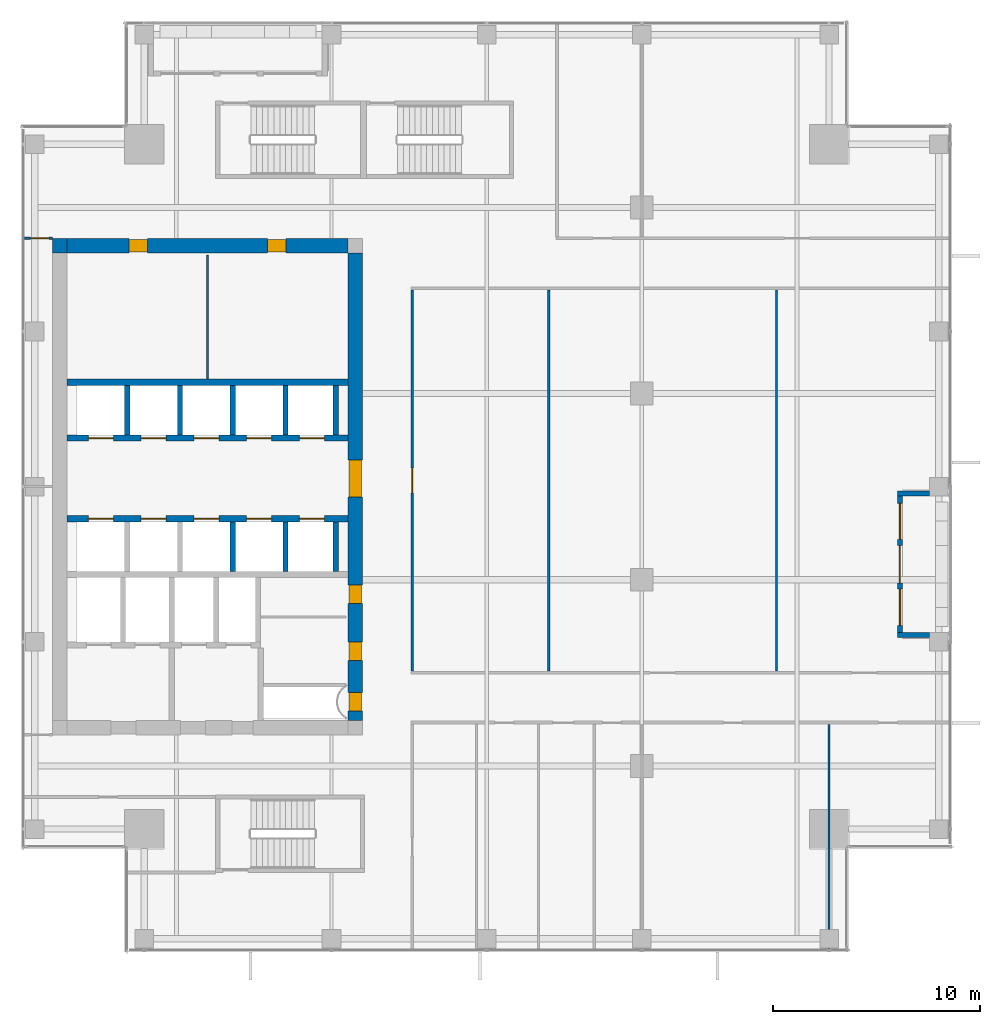
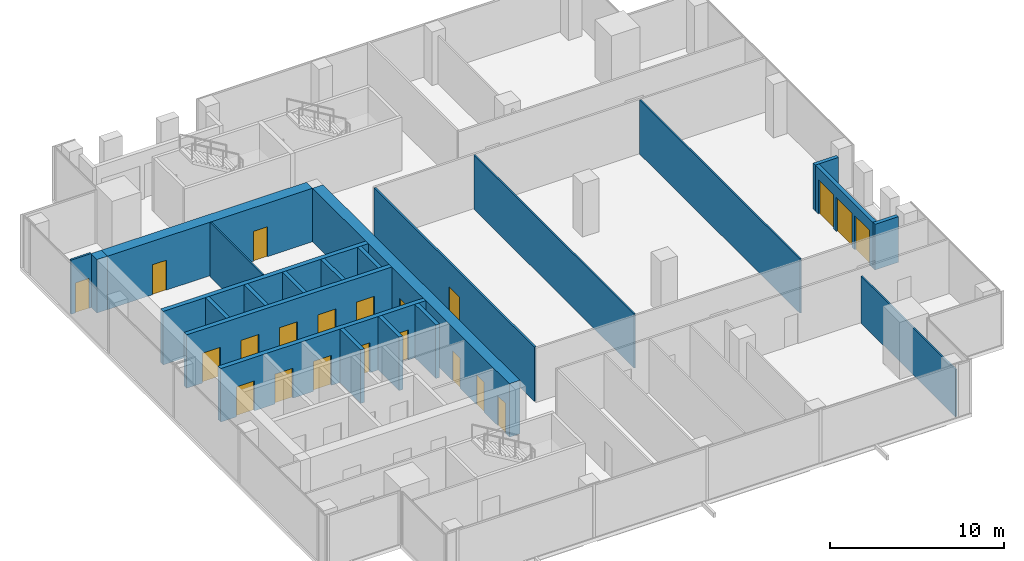
# One storey, part 32 of 36: 23 walls, 19 doors, 2 windows, 21 openings.
"""IFC4 building model written with IfcOpenShell, lengths in metres."""

from ifc_helpers import new_model, si_unit, direction, frame, frame_2d, origin, place, context, subcontext, project, spatial, rectangle, extrude, source, transform, mapped, material, layer, layer_set, type_object, element, fill, save


model = new_model("IFC4")

# Units and contexts
model_context = context("Model", 3, precision=1e-05, world=origin(), true_north=direction((0.0, 1.0)))
body_context = subcontext(model_context, "Body", "Model", "MODEL_VIEW")
ifc_project = project(units=[si_unit("LENGTHUNIT", "METRE"), si_unit("AREAUNIT", "SQUARE_METRE"), si_unit("VOLUMEUNIT", "CUBIC_METRE"), si_unit("PLANEANGLEUNIT", "RADIAN"), si_unit("MASSUNIT", "GRAM", prefix="KILO")], contexts=[model_context])

# Site, building, storey
site_placement = place(None, origin())
site = spatial("IfcSite", under=ifc_project, at=site_placement, CompositionType="ELEMENT")
building_placement = place(site_placement, origin())
building = spatial("IfcBuilding", under=site, at=building_placement, Name="Khomas Fold Tower", CompositionType="ELEMENT")
storey_placement = place(building_placement, frame((0.0, 0.0, 230.199951171875)))
storey = spatial("IfcBuildingStorey", under=building, at=storey_placement, Name="L51", CompositionType="ELEMENT", Elevation=230.199951171875)

# Walls
ifc_material_1 = material(Name="Concrete C50/60", Category="concrete")
ifc_layer_1 = layer(ifc_material_1, 0.25)
ifc_layer_set_1 = layer_set([ifc_layer_1], Name="Concrete C50/60")
wall_type_1 = type_object("IfcWallType", Name="Shaft wall 250", PredefinedType="STANDARD", material=ifc_layer_set_1)
shared_shape_1 = source(origin(), body_context, "Body", "SweptSolid", [
    extrude(rectangle(XDim=2.39990234375, YDim=0.25, at=frame_2d((1.199951171875, 0.0))), origin(), (0.0, 0.0, 1.0), 3.75),
])
for number, where, z_axis, x_axis, name in (
    (1, (17.27490234375, 29.5, 0.0), (0.0, 0.0, 1.0), (0.0, 1.0, 0.0), "Core wall SW-HRN-MR-P1"),
    (2, (19.699951171875, 29.5, 0.0), (0.0, 0.0, 1.0), (0.0, 1.0, 0.0), "Core wall SW-HRN-MR-PE"),
    (3, (9.625, 29.5, 0.0), (0.0, 0.0, 1.0), (0.0, 1.0, 0.0), "Core wall SW-HRN-P1"),
    (4, (12.175048828125, 29.5, 0.0), (0.0, 0.0, 1.0), (0.0, 1.0, 0.0), "Core wall SW-HRN-P2"),
    (5, (14.72509765625, 29.5, 0.0), (0.0, 0.0, 1.0), (0.0, 1.0, 0.0), "Core wall SW-HRN-PE"),
):
    element("IfcWall", number, at=place(storey_placement, frame(where, z_axis=z_axis, x_axis=x_axis)), inside=storey, type_object=wall_type_1, Name=name, PredefinedType="STANDARD", context=body_context, shape_type="MappedRepresentation", body=[
        mapped(shared_shape_1, transform((0.0, 0.0, 0.0))),
    ])
shared_shape_2 = source(origin(), body_context, "Body", "SweptSolid", [
    extrude(rectangle(XDim=2.400146484375, YDim=0.25, at=frame_2d((1.2001953125, 0.0))), origin(), (0.0, 0.0, 1.0), 3.75),
])
for number, where, z_axis, x_axis, name in (
    (6, (17.27490234375, 22.89990234375, 0.0), (0.0, 0.0, 1.0), (0.0, 1.0, 0.0), "Core wall SW-HRS-MR-P1"),
    (7, (19.699951171875, 22.89990234375, 0.0), (0.0, 0.0, 1.0), (0.0, 1.0, 0.0), "Core wall SW-HRS-MR-PE"),
    (8, (14.72509765625, 22.89990234375, 0.0), (0.0, 0.0, 1.0), (0.0, 1.0, 0.0), "Core wall SW-HRS-PE"),
):
    element("IfcWall", number, at=place(storey_placement, frame(where, z_axis=z_axis, x_axis=x_axis)), inside=storey, type_object=wall_type_1, Name=name, PredefinedType="STANDARD", context=body_context, shape_type="MappedRepresentation", body=[
        mapped(shared_shape_2, transform((0.0, 0.0, 0.0))),
    ])

# Wall, openings, doors
ifc_material_2 = material(Name="Concrete C60/75", Category="concrete")
ifc_layer_2 = layer(ifc_material_2, 0.699951171875)
ifc_layer_set_2 = layer_set([ifc_layer_2], Name="Concrete C60/75")
wall_type_2 = type_object("IfcWallType", Name="Core wall 700", PredefinedType="SHEAR", material=ifc_layer_set_2)
shared_shape_3 = source(origin(), body_context, "Body", "SweptSolid", [
    extrude(rectangle(XDim=13.60009765625, YDim=0.699951171875, at=frame_2d((6.800048828125, 0.0))), origin(), (0.0, 0.0, 1.0), 3.75),
])
wall_1_placement = place(storey_placement, frame((6.699951171875, 38.64990234375, 0.0), z_axis=(0.0, 0.0, 1.0), x_axis=(1.0, 0.0, 0.0)))
wall_1 = element("IfcWall", 9, at=wall_1_placement, inside=storey, type_object=wall_type_2, Name="Core wall CW-U-N-L49", PredefinedType="SHEAR", context=body_context, shape_type="MappedRepresentation", body=[
    mapped(shared_shape_3, transform((0.0, 0.0, 0.0))),
])
shared_shape_4 = source(origin(), body_context, "Body", "SweptSolid", [
    extrude(rectangle(XDim=0.89990234375, YDim=2.10009765625, at=frame_2d((0.449951171875, 1.050048828125))), frame((0.0, 0.35986328125, 0.0), z_axis=(0.0, -1.0, 0.0), x_axis=(1.0, 0.0, 0.0)), (0.0, 0.0, 1.0), 0.719970703125),
])
opening_1_placement = place(wall_1_placement, frame((3.0, 0.0, 0.0)))
opening_1 = element("IfcOpeningElement", 10, at=opening_1_placement, cuts=wall_1, Name="Opening 0008", PredefinedType="OPENING", context=body_context, shape_type="MappedRepresentation", body=[
    mapped(shared_shape_4, transform((0.0, 0.0, 0.0))),
])
opening_2_placement = place(wall_1_placement, frame((9.699951171875, 0.0, 0.0)))
opening_2 = element("IfcOpeningElement", 11, at=opening_2_placement, cuts=wall_1, Name="Opening 0008", PredefinedType="OPENING", context=body_context, shape_type="MappedRepresentation", body=[
    mapped(shared_shape_4, transform((0.0, 0.0, 0.0))),
])
ifc_material_3 = material(Name="Timber door leaf", Category="wood")
door_type_1 = type_object("IfcDoorType", Name="Door 900x2100 right-hand", OperationType="SINGLE_SWING_RIGHT", PredefinedType="DOOR", material=ifc_material_3)
shared_shape_5 = source(origin(), body_context, "Body", "SweptSolid", [
    extrude(rectangle(XDim=0.89990234375, YDim=2.10009765625, at=frame_2d((0.449951171875, 1.050048828125))), frame((0.0, 0.2998046875, 0.0), z_axis=(0.0, -1.0, 0.0), x_axis=(1.0, 0.0, 0.0)), (0.0, 0.0, 1.0), 0.599853515625),
])
door_1_placement = place(opening_1_placement, origin())
door_1 = element("IfcDoor", 12, at=door_1_placement, inside=storey, type_object=door_type_1, Name="Door", OperationType="SINGLE_SWING_RIGHT", OverallHeight=2.10009765625, OverallWidth=0.89990234375, PredefinedType="DOOR", context=body_context, shape_type="MappedRepresentation", body=[
    mapped(shared_shape_5, transform((0.0, 0.0, 0.0))),
])
fill(opening_1, door_1)
door_2_placement = place(opening_2_placement, origin())
door_2 = element("IfcDoor", 13, at=door_2_placement, inside=storey, type_object=door_type_1, Name="Door", OperationType="SINGLE_SWING_RIGHT", OverallHeight=2.10009765625, OverallWidth=0.89990234375, PredefinedType="DOOR", context=body_context, shape_type="MappedRepresentation", body=[
    mapped(shared_shape_5, transform((0.0, 0.0, 0.0))),
])
fill(opening_2, door_2)

# Wall
ifc_material_4 = material(Name="Concrete C60/75", Category="concrete")
ifc_layer_3 = layer(ifc_material_4, 0.699951171875)
ifc_layer_set_3 = layer_set([ifc_layer_3], Name="Concrete C60/75")
wall_type_3 = type_object("IfcWallType", Name="Core corner wall 700", PredefinedType="SHEAR", material=ifc_layer_set_3)
shared_shape_6 = source(origin(), body_context, "Body", "SweptSolid", [
    extrude(rectangle(XDim=0.699951171875, YDim=0.699951171875, at=frame_2d((0.35009765625, 0.0))), origin(), (0.0, 0.0, 1.0), 3.75),
])
wall_2_placement = place(storey_placement, frame((6.0, 38.64990234375, 0.0), z_axis=(0.0, 0.0, 1.0), x_axis=(1.0, 0.0, 0.0)))
element("IfcWall", 14, at=wall_2_placement, inside=storey, type_object=wall_type_3, Name="Core wall CW-U-NW-L49", PredefinedType="SHEAR", context=body_context, shape_type="MappedRepresentation", body=[
    mapped(shared_shape_6, transform((0.0, 0.0, 0.0))),
])

# Wall, openings, doors
shared_shape_7 = source(origin(), body_context, "Body", "SweptSolid", [
    extrude(rectangle(XDim=22.60009765625, YDim=0.699951171875, at=frame_2d((11.300048828125, 0.0))), origin(), (0.0, 0.0, 1.0), 3.75),
])
wall_3_placement = place(storey_placement, frame((20.64990234375, 15.699951171875, 0.0), z_axis=(0.0, 0.0, 1.0), x_axis=(0.0, 1.0, 0.0)))
wall_3 = element("IfcWall", 15, at=wall_3_placement, inside=storey, type_object=wall_type_2, Name="Core wall CW-U-E-L49", PredefinedType="SHEAR", context=body_context, shape_type="MappedRepresentation", body=[
    mapped(shared_shape_7, transform((0.0, 0.0, 0.0))),
])
shared_shape_8 = source(origin(), body_context, "Body", "SweptSolid", [
    extrude(rectangle(XDim=1.800048828125, YDim=2.10009765625, at=frame_2d((0.89990234375, 1.050048828125))), frame((0.0, 0.35986328125, 0.0), z_axis=(0.0, -1.0, 0.0), x_axis=(1.0, 0.0, 0.0)), (0.0, 0.0, 1.0), 0.719970703125),
])
opening_3_placement = place(wall_3_placement, frame((10.800048828125, 0.0, 0.0)))
opening_3 = element("IfcOpeningElement", 16, at=opening_3_placement, cuts=wall_3, Name="Opening 0015", PredefinedType="OPENING", context=body_context, shape_type="MappedRepresentation", body=[
    mapped(shared_shape_8, transform((0.0, 0.0, 0.0))),
])
opening_4_placement = place(wall_3_placement, frame((0.449951171875, 0.0, 0.0)))
opening_4 = element("IfcOpeningElement", 17, at=opening_4_placement, cuts=wall_3, Name="Opening 0003", PredefinedType="OPENING", context=body_context, shape_type="MappedRepresentation", body=[
    mapped(shared_shape_4, transform((0.0, 0.0, 0.0))),
])
opening_5_placement = place(wall_3_placement, frame((2.89990234375, 0.0, 0.0)))
opening_5 = element("IfcOpeningElement", 18, at=opening_5_placement, cuts=wall_3, Name="Opening 0008", PredefinedType="OPENING", context=body_context, shape_type="MappedRepresentation", body=[
    mapped(shared_shape_4, transform((0.0, 0.0, 0.0))),
])
opening_6_placement = place(wall_3_placement, frame((5.64990234375, 0.0, 0.0)))
opening_6 = element("IfcOpeningElement", 19, at=opening_6_placement, cuts=wall_3, Name="Opening 0008", PredefinedType="OPENING", context=body_context, shape_type="MappedRepresentation", body=[
    mapped(shared_shape_4, transform((0.0, 0.0, 0.0))),
])
ifc_material_5 = material(Name="Steel door leaf", Category="steel")
door_type_2 = type_object("IfcDoorType", Name="Lobby door 1800x2100", OperationType="DOUBLE_DOOR_SINGLE_SWING", PredefinedType="DOOR", material=ifc_material_5)
shared_shape_9 = source(origin(), body_context, "Body", "SweptSolid", [
    extrude(rectangle(XDim=1.800048828125, YDim=2.10009765625, at=frame_2d((0.89990234375, 1.050048828125))), frame((0.0, 0.2998046875, 0.0), z_axis=(0.0, -1.0, 0.0), x_axis=(1.0, 0.0, 0.0)), (0.0, 0.0, 1.0), 0.599853515625),
])
door_3_placement = place(opening_3_placement, origin())
door_3 = element("IfcDoor", 20, at=door_3_placement, inside=storey, type_object=door_type_2, Name="Lobby door", OperationType="DOUBLE_DOOR_SINGLE_SWING", OverallHeight=2.10009765625, OverallWidth=1.800048828125, PredefinedType="DOOR", context=body_context, shape_type="MappedRepresentation", body=[
    mapped(shared_shape_9, transform((0.0, 0.0, 0.0))),
])
fill(opening_3, door_3)
ifc_material_6 = material(Name="Steel door leaf", Category="steel")
door_type_3 = type_object("IfcDoorType", Name="Plant room door 900x2100 right-hand", OperationType="SINGLE_SWING_RIGHT", PredefinedType="DOOR", material=ifc_material_6)
door_4_placement = place(opening_4_placement, origin())
door_4 = element("IfcDoor", 21, at=door_4_placement, inside=storey, type_object=door_type_3, Name="Plant room door", OperationType="SINGLE_SWING_RIGHT", OverallHeight=2.10009765625, OverallWidth=0.89990234375, PredefinedType="DOOR", context=body_context, shape_type="MappedRepresentation", body=[
    mapped(shared_shape_5, transform((0.0, 0.0, 0.0))),
])
fill(opening_4, door_4)
door_5_placement = place(opening_5_placement, origin())
door_5 = element("IfcDoor", 22, at=door_5_placement, inside=storey, type_object=door_type_1, Name="Door", OperationType="SINGLE_SWING_RIGHT", OverallHeight=2.10009765625, OverallWidth=0.89990234375, PredefinedType="DOOR", context=body_context, shape_type="MappedRepresentation", body=[
    mapped(shared_shape_5, transform((0.0, 0.0, 0.0))),
])
fill(opening_5, door_5)
door_6_placement = place(opening_6_placement, origin())
door_6 = element("IfcDoor", 23, at=door_6_placement, inside=storey, type_object=door_type_1, Name="Door", OperationType="SINGLE_SWING_RIGHT", OverallHeight=2.10009765625, OverallWidth=0.89990234375, PredefinedType="DOOR", context=body_context, shape_type="MappedRepresentation", body=[
    mapped(shared_shape_5, transform((0.0, 0.0, 0.0))),
])
fill(opening_6, door_6)

# Wall
ifc_material_7 = material(Name="Concrete C50/60", Category="concrete")
ifc_layer_4 = layer(ifc_material_7, 0.300048828125)
ifc_layer_set_4 = layer_set([ifc_layer_4], Name="Concrete C50/60")
wall_type_4 = type_object("IfcWallType", Name="Shaft wall 300", PredefinedType="STANDARD", material=ifc_layer_set_4)
shared_shape_10 = source(origin(), body_context, "Body", "SweptSolid", [
    extrude(rectangle(XDim=13.60009765625, YDim=0.300048828125, at=frame_2d((6.800048828125, 0.0))), origin(), (0.0, 0.0, 1.0), 3.75),
])
wall_4_placement = place(storey_placement, frame((6.699951171875, 32.050048828125, 0.0), z_axis=(0.0, 0.0, 1.0), x_axis=(1.0, 0.0, 0.0)))
element("IfcWall", 24, at=wall_4_placement, inside=storey, type_object=wall_type_4, Name="Core wall SW-HRN-B", PredefinedType="STANDARD", context=body_context, shape_type="MappedRepresentation", body=[
    mapped(shared_shape_10, transform((0.0, 0.0, 0.0))),
])

# Wall, openings, doors
wall_5_placement = place(storey_placement, frame((6.699951171875, 29.35009765625, 0.0), z_axis=(0.0, 0.0, 1.0), x_axis=(1.0, 0.0, 0.0)))
wall_5 = element("IfcWall", 25, at=wall_5_placement, inside=storey, type_object=wall_type_4, Name="Core wall SW-HRN-F", PredefinedType="STANDARD", context=body_context, shape_type="MappedRepresentation", body=[
    mapped(shared_shape_10, transform((0.0, 0.0, 0.0))),
])
shared_shape_11 = source(origin(), body_context, "Body", "SweptSolid", [
    extrude(rectangle(XDim=1.199951171875, YDim=2.10009765625, at=frame_2d((0.60009765625, 1.050048828125))), frame((0.0, 0.159912109375, 0.0), z_axis=(0.0, -1.0, 0.0), x_axis=(1.0, 0.0, 0.0)), (0.0, 0.0, 1.0), 0.320068359375),
])
opening_7_placement = place(wall_5_placement, frame((1.050048828125, 0.0, 0.0)))
opening_7 = element("IfcOpeningElement", 26, at=opening_7_placement, cuts=wall_5, Name="Opening LD-HR4", PredefinedType="OPENING", context=body_context, shape_type="MappedRepresentation", body=[
    mapped(shared_shape_11, transform((0.0, 0.0, 0.0))),
])
opening_8_placement = place(wall_5_placement, frame((3.60009765625, 0.0, 0.0)))
opening_8 = element("IfcOpeningElement", 27, at=opening_8_placement, cuts=wall_5, Name="Opening LD-HR5", PredefinedType="OPENING", context=body_context, shape_type="MappedRepresentation", body=[
    mapped(shared_shape_11, transform((0.0, 0.0, 0.0))),
])
opening_9_placement = place(wall_5_placement, frame((6.14990234375, 0.0, 0.0)))
opening_9 = element("IfcOpeningElement", 28, at=opening_9_placement, cuts=wall_5, Name="Opening LD-HR6", PredefinedType="OPENING", context=body_context, shape_type="MappedRepresentation", body=[
    mapped(shared_shape_11, transform((0.0, 0.0, 0.0))),
])
opening_10_placement = place(wall_5_placement, frame((8.699951171875, 0.0, 0.0)))
opening_10 = element("IfcOpeningElement", 29, at=opening_10_placement, cuts=wall_5, Name="Opening LD-MR3", PredefinedType="OPENING", context=body_context, shape_type="MappedRepresentation", body=[
    mapped(shared_shape_11, transform((0.0, 0.0, 0.0))),
])
opening_11_placement = place(wall_5_placement, frame((11.25, 0.0, 0.0)))
opening_11 = element("IfcOpeningElement", 30, at=opening_11_placement, cuts=wall_5, Name="Opening LD-MR4", PredefinedType="OPENING", context=body_context, shape_type="MappedRepresentation", body=[
    mapped(shared_shape_11, transform((0.0, 0.0, 0.0))),
])
ifc_material_8 = material(Name="Steel door leaf", Category="steel")
door_type_4 = type_object("IfcDoorType", Name="Landing door 1200x2100", OperationType="DOUBLE_DOOR_SLIDING", PredefinedType="DOOR", material=ifc_material_8)
shared_shape_12 = source(origin(), body_context, "Body", "SweptSolid", [
    extrude(rectangle(XDim=1.199951171875, YDim=2.10009765625, at=frame_2d((0.60009765625, 1.050048828125))), frame((0.0, 0.02490234375, 0.0), z_axis=(0.0, -1.0, 0.0), x_axis=(1.0, 0.0, 0.0)), (0.0, 0.0, 1.0), 0.050048828125),
])
door_7_placement = place(opening_7_placement, origin())
door_7 = element("IfcDoor", 31, at=door_7_placement, inside=storey, type_object=door_type_4, Name="Lift landing door", OperationType="DOUBLE_DOOR_SLIDING", OverallHeight=2.10009765625, OverallWidth=1.199951171875, PredefinedType="DOOR", context=body_context, shape_type="MappedRepresentation", body=[
    mapped(shared_shape_12, transform((0.0, 0.0, 0.0))),
])
fill(opening_7, door_7)
door_8_placement = place(opening_8_placement, origin())
door_8 = element("IfcDoor", 32, at=door_8_placement, inside=storey, type_object=door_type_4, Name="Lift landing door", OperationType="DOUBLE_DOOR_SLIDING", OverallHeight=2.10009765625, OverallWidth=1.199951171875, PredefinedType="DOOR", context=body_context, shape_type="MappedRepresentation", body=[
    mapped(shared_shape_12, transform((0.0, 0.0, 0.0))),
])
fill(opening_8, door_8)
door_9_placement = place(opening_9_placement, origin())
door_9 = element("IfcDoor", 33, at=door_9_placement, inside=storey, type_object=door_type_4, Name="Lift landing door", OperationType="DOUBLE_DOOR_SLIDING", OverallHeight=2.10009765625, OverallWidth=1.199951171875, PredefinedType="DOOR", context=body_context, shape_type="MappedRepresentation", body=[
    mapped(shared_shape_12, transform((0.0, 0.0, 0.0))),
])
fill(opening_9, door_9)
door_10_placement = place(opening_10_placement, origin())
door_10 = element("IfcDoor", 34, at=door_10_placement, inside=storey, type_object=door_type_4, Name="Lift landing door", OperationType="DOUBLE_DOOR_SLIDING", OverallHeight=2.10009765625, OverallWidth=1.199951171875, PredefinedType="DOOR", context=body_context, shape_type="MappedRepresentation", body=[
    mapped(shared_shape_12, transform((0.0, 0.0, 0.0))),
])
fill(opening_10, door_10)
door_11_placement = place(opening_11_placement, origin())
door_11 = element("IfcDoor", 35, at=door_11_placement, inside=storey, type_object=door_type_4, Name="Lift landing door", OperationType="DOUBLE_DOOR_SLIDING", OverallHeight=2.10009765625, OverallWidth=1.199951171875, PredefinedType="DOOR", context=body_context, shape_type="MappedRepresentation", body=[
    mapped(shared_shape_12, transform((0.0, 0.0, 0.0))),
])
fill(opening_11, door_11)

wall_6_placement = place(storey_placement, frame((6.699951171875, 25.449951171875, 0.0), z_axis=(0.0, 0.0, 1.0), x_axis=(1.0, 0.0, 0.0)))
wall_6 = element("IfcWall", 36, at=wall_6_placement, inside=storey, type_object=wall_type_4, Name="Core wall SW-HRS-F", PredefinedType="STANDARD", context=body_context, shape_type="MappedRepresentation", body=[
    mapped(shared_shape_10, transform((0.0, 0.0, 0.0))),
])
opening_12_placement = place(wall_6_placement, frame((1.050048828125, 0.0, 0.0)))
opening_12 = element("IfcOpeningElement", 37, at=opening_12_placement, cuts=wall_6, Name="Opening LD-HR1", PredefinedType="OPENING", context=body_context, shape_type="MappedRepresentation", body=[
    mapped(shared_shape_11, transform((0.0, 0.0, 0.0))),
])
opening_13_placement = place(wall_6_placement, frame((3.60009765625, 0.0, 0.0)))
opening_13 = element("IfcOpeningElement", 38, at=opening_13_placement, cuts=wall_6, Name="Opening LD-HR2", PredefinedType="OPENING", context=body_context, shape_type="MappedRepresentation", body=[
    mapped(shared_shape_11, transform((0.0, 0.0, 0.0))),
])
opening_14_placement = place(wall_6_placement, frame((6.14990234375, 0.0, 0.0)))
opening_14 = element("IfcOpeningElement", 39, at=opening_14_placement, cuts=wall_6, Name="Opening LD-HR3", PredefinedType="OPENING", context=body_context, shape_type="MappedRepresentation", body=[
    mapped(shared_shape_11, transform((0.0, 0.0, 0.0))),
])
opening_15_placement = place(wall_6_placement, frame((8.699951171875, 0.0, 0.0)))
opening_15 = element("IfcOpeningElement", 40, at=opening_15_placement, cuts=wall_6, Name="Opening LD-MR1", PredefinedType="OPENING", context=body_context, shape_type="MappedRepresentation", body=[
    mapped(shared_shape_11, transform((0.0, 0.0, 0.0))),
])
opening_16_placement = place(wall_6_placement, frame((11.25, 0.0, 0.0)))
opening_16 = element("IfcOpeningElement", 41, at=opening_16_placement, cuts=wall_6, Name="Opening LD-MR2", PredefinedType="OPENING", context=body_context, shape_type="MappedRepresentation", body=[
    mapped(shared_shape_11, transform((0.0, 0.0, 0.0))),
])
door_12_placement = place(opening_12_placement, origin())
door_12 = element("IfcDoor", 42, at=door_12_placement, inside=storey, type_object=door_type_4, Name="Lift landing door", OperationType="DOUBLE_DOOR_SLIDING", OverallHeight=2.10009765625, OverallWidth=1.199951171875, PredefinedType="DOOR", context=body_context, shape_type="MappedRepresentation", body=[
    mapped(shared_shape_12, transform((0.0, 0.0, 0.0))),
])
fill(opening_12, door_12)
door_13_placement = place(opening_13_placement, origin())
door_13 = element("IfcDoor", 43, at=door_13_placement, inside=storey, type_object=door_type_4, Name="Lift landing door", OperationType="DOUBLE_DOOR_SLIDING", OverallHeight=2.10009765625, OverallWidth=1.199951171875, PredefinedType="DOOR", context=body_context, shape_type="MappedRepresentation", body=[
    mapped(shared_shape_12, transform((0.0, 0.0, 0.0))),
])
fill(opening_13, door_13)
door_14_placement = place(opening_14_placement, origin())
door_14 = element("IfcDoor", 44, at=door_14_placement, inside=storey, type_object=door_type_4, Name="Lift landing door", OperationType="DOUBLE_DOOR_SLIDING", OverallHeight=2.10009765625, OverallWidth=1.199951171875, PredefinedType="DOOR", context=body_context, shape_type="MappedRepresentation", body=[
    mapped(shared_shape_12, transform((0.0, 0.0, 0.0))),
])
fill(opening_14, door_14)
door_15_placement = place(opening_15_placement, origin())
door_15 = element("IfcDoor", 45, at=door_15_placement, inside=storey, type_object=door_type_4, Name="Lift landing door", OperationType="DOUBLE_DOOR_SLIDING", OverallHeight=2.10009765625, OverallWidth=1.199951171875, PredefinedType="DOOR", context=body_context, shape_type="MappedRepresentation", body=[
    mapped(shared_shape_12, transform((0.0, 0.0, 0.0))),
])
fill(opening_15, door_15)
door_16_placement = place(opening_16_placement, origin())
door_16 = element("IfcDoor", 46, at=door_16_placement, inside=storey, type_object=door_type_4, Name="Lift landing door", OperationType="DOUBLE_DOOR_SLIDING", OverallHeight=2.10009765625, OverallWidth=1.199951171875, PredefinedType="DOOR", context=body_context, shape_type="MappedRepresentation", body=[
    mapped(shared_shape_12, transform((0.0, 0.0, 0.0))),
])
fill(opening_16, door_16)

# Wall, openings, door, windows
ifc_material_9 = material(Name="Natural stone", Category="masonry")
ifc_layer_5 = layer(ifc_material_9, 0.0400390625)
ifc_material_10 = material(Name="Mineral wool insulation", Category="insulation")
ifc_layer_6 = layer(ifc_material_10, 0.10009765625)
ifc_material_11 = material(Name="Masonry", Category="masonry")
ifc_layer_7 = layer(ifc_material_11, 0.110107421875)
ifc_layer_set_5 = layer_set([ifc_layer_5, ifc_layer_6, ifc_layer_7], Name="Stone-faced insulated masonry")
wall_type_5 = type_object("IfcWallType", Name="BL-Balcony wall", PredefinedType="SOLIDWALL", material=ifc_layer_set_5)
shared_shape_13 = source(origin(), body_context, "Body", "SweptSolid", [
    extrude(rectangle(XDim=6.60009765625, YDim=0.25, at=frame_2d((3.300048828125, 0.0))), origin(), (0.0, 0.0, 1.0), 3.199951171875),
])
wall_7_placement = place(storey_placement, frame((46.97509765625, 19.949951171875, 0.0), z_axis=(0.0, 0.0, 1.0), x_axis=(0.0, 1.0, 0.0)))
wall_7 = element("IfcWall", 47, at=wall_7_placement, inside=storey, type_object=wall_type_5, Name="Balcony wall BAL-L51-E2", PredefinedType="SOLIDWALL", context=body_context, shape_type="MappedRepresentation", body=[
    mapped(shared_shape_13, transform((0.0, 0.0, 0.0))),
])
shared_shape_14 = source(origin(), body_context, "Body", "SweptSolid", [
    extrude(rectangle(XDim=1.75, YDim=2.39990234375, at=frame_2d((0.875, 1.199951171875))), frame((0.0, 0.135009765625, 0.0), z_axis=(0.0, -1.0, 0.0), x_axis=(1.0, 0.0, 0.0)), (0.0, 0.0, 1.0), 0.27001953125),
])
opening_17_placement = place(wall_7_placement, frame((0.35009765625, 0.0, 0.0)))
opening_17 = element("IfcOpeningElement", 48, at=opening_17_placement, cuts=wall_7, Name="Opening BL-W3", PredefinedType="OPENING", context=body_context, shape_type="MappedRepresentation", body=[
    mapped(shared_shape_14, transform((0.0, 0.0, 0.0))),
])
opening_18_placement = place(wall_7_placement, frame((4.5, 0.0, 0.0)))
opening_18 = element("IfcOpeningElement", 49, at=opening_18_placement, cuts=wall_7, Name="Opening BL-W3", PredefinedType="OPENING", context=body_context, shape_type="MappedRepresentation", body=[
    mapped(shared_shape_14, transform((0.0, 0.0, 0.0))),
])
shared_shape_15 = source(origin(), body_context, "Body", "SweptSolid", [
    extrude(rectangle(XDim=1.800048828125, YDim=2.39990234375, at=frame_2d((0.89990234375, 1.199951171875))), frame((0.0, 0.135009765625, 0.0), z_axis=(0.0, -1.0, 0.0), x_axis=(1.0, 0.0, 0.0)), (0.0, 0.0, 1.0), 0.27001953125),
])
opening_19_placement = place(wall_7_placement, frame((2.39990234375, 0.0, 0.0)))
opening_19 = element("IfcOpeningElement", 50, at=opening_19_placement, cuts=wall_7, Name="Opening BD512", PredefinedType="OPENING", context=body_context, shape_type="MappedRepresentation", body=[
    mapped(shared_shape_15, transform((0.0, 0.0, 0.0))),
])
ifc_material_12 = material(Name="Aluminium framed double glazing", Category="aluminium")
door_type_5 = type_object("IfcDoorType", Name="BL-Glazed balcony door 1800 x 2400", OperationType="DOUBLE_DOOR_DOUBLE_SWING", PredefinedType="DOOR", material=ifc_material_12)
shared_shape_16 = source(origin(), body_context, "Body", "SweptSolid", [
    extrude(rectangle(XDim=1.800048828125, YDim=2.39990234375, at=frame_2d((0.89990234375, 1.199951171875))), frame((0.0, 0.02490234375, 0.0), z_axis=(0.0, -1.0, 0.0), x_axis=(1.0, 0.0, 0.0)), (0.0, 0.0, 1.0), 0.050048828125),
])
door_17_placement = place(opening_19_placement, origin())
door_17 = element("IfcDoor", 51, at=door_17_placement, inside=storey, type_object=door_type_5, Name="Balcony door BD512", OperationType="DOUBLE_DOOR_DOUBLE_SWING", OverallHeight=2.39990234375, OverallWidth=1.800048828125, PredefinedType="DOOR", context=body_context, shape_type="MappedRepresentation", body=[
    mapped(shared_shape_16, transform((0.0, 0.0, 0.0))),
])
fill(opening_19, door_17)
ifc_material_13 = material(Name="Aluminium framed double glazing", Category="aluminium")
window_type = type_object("IfcWindowType", Name="BL-Fixed glazing 1750 x 2400", PartitioningType="SINGLE_PANEL", PredefinedType="WINDOW", material=ifc_material_13)
shared_shape_17 = source(origin(), body_context, "Body", "SweptSolid", [
    extrude(rectangle(XDim=1.75, YDim=2.39990234375, at=frame_2d((0.875, 1.199951171875))), frame((0.0, 0.030029296875, 0.0), z_axis=(0.0, -1.0, 0.0), x_axis=(1.0, 0.0, 0.0)), (0.0, 0.0, 1.0), 0.06005859375),
])
window_1_placement = place(opening_17_placement, origin())
window_1 = element("IfcWindow", 52, at=window_1_placement, inside=storey, type_object=window_type, Name="Balcony glazing BAL-L51-E2-1", OverallHeight=2.39990234375, OverallWidth=1.75, PartitioningType="SINGLE_PANEL", PredefinedType="WINDOW", context=body_context, shape_type="MappedRepresentation", body=[
    mapped(shared_shape_17, transform((0.0, 0.0, 0.0))),
])
fill(opening_17, window_1)
window_2_placement = place(opening_18_placement, origin())
window_2 = element("IfcWindow", 53, at=window_2_placement, inside=storey, type_object=window_type, Name="Balcony glazing BAL-L51-E2-2", OverallHeight=2.39990234375, OverallWidth=1.75, PartitioningType="SINGLE_PANEL", PredefinedType="WINDOW", context=body_context, shape_type="MappedRepresentation", body=[
    mapped(shared_shape_17, transform((0.0, 0.0, 0.0))),
])
fill(opening_18, window_2)

# Walls
shared_shape_18 = source(origin(), body_context, "Body", "SweptSolid", [
    extrude(rectangle(XDim=1.5498046875, YDim=0.25, at=frame_2d((0.77490234375, 0.0))), origin(), (0.0, 0.0, 1.0), 3.199951171875),
])
for number, where, z_axis, x_axis, name in (
    (54, (48.39990234375, 19.824951171875, 0.0), (0.0, 0.0, 1.0), (-1.0, 0.0, 0.0), "Balcony return wall BAL-L51-E2-lo"),
    (55, (48.39990234375, 26.675048828125, 0.0), (0.0, 0.0, 1.0), (-1.0, 0.0, 0.0), "Balcony return wall BAL-L51-E2-hi"),
):
    element("IfcWall", number, at=place(storey_placement, frame(where, z_axis=z_axis, x_axis=x_axis)), inside=storey, type_object=wall_type_5, Name=name, PredefinedType="SOLIDWALL", context=body_context, shape_type="MappedRepresentation", body=[
        mapped(shared_shape_18, transform((0.0, 0.0, 0.0))),
    ])
ifc_material_14 = material(Name="Plasterboard partition")
ifc_layer_8 = layer(ifc_material_14, 0.10009765625)
ifc_layer_set_6 = layer_set([ifc_layer_8], Name="Plasterboard partition")
wall_type_6 = type_object("IfcWallType", Name="Partition PW1 100", PredefinedType="PARTITIONING", material=ifc_layer_set_6)
shared_shape_19 = source(origin(), body_context, "Body", "SweptSolid", [
    extrude(rectangle(XDim=6.0, YDim=0.10009765625, at=frame_2d((3.0, 0.0))), origin(), (0.0, 0.0, 1.0), 3.800048828125),
])
wall_8_placement = place(storey_placement, frame((13.5, 32.199951171875, 0.0), z_axis=(0.0, 0.0, 1.0), x_axis=(0.0, 1.0, 0.0)))
element("IfcWall", 56, at=wall_8_placement, inside=storey, type_object=wall_type_6, Name="Partition", PredefinedType="PARTITIONING", context=body_context, shape_type="MappedRepresentation", body=[
    mapped(shared_shape_19, transform((0.0, 0.0, 0.0))),
])
shared_shape_20 = source(origin(), body_context, "Body", "SweptSolid", [
    extrude(rectangle(XDim=10.85009765625, YDim=0.10009765625, at=frame_2d((5.425048828125, 0.0))), origin(), (0.0, 0.0, 1.0), 3.300048828125),
])
wall_9_placement = place(storey_placement, frame((43.550048828125, 4.64990234375, 0.0), z_axis=(0.0, 0.0, 1.0), x_axis=(0.0, 1.0, 0.0)))
element("IfcWall", 57, at=wall_9_placement, inside=storey, type_object=wall_type_6, Name="Partition", PredefinedType="PARTITIONING", context=body_context, shape_type="MappedRepresentation", body=[
    mapped(shared_shape_20, transform((0.0, 0.0, 0.0))),
])

# Wall, opening, door
ifc_material_15 = material(Name="Plasterboard partition")
ifc_layer_9 = layer(ifc_material_15, 0.125)
ifc_layer_set_7 = layer_set([ifc_layer_9], Name="Plasterboard partition")
wall_type_7 = type_object("IfcWallType", Name="Partition PW2 125", PredefinedType="PARTITIONING", material=ifc_layer_set_7)
shared_shape_21 = source(origin(), body_context, "Body", "SweptSolid", [
    extrude(rectangle(XDim=1.35009765625, YDim=0.125, at=frame_2d((0.675048828125, 0.0))), origin(), (0.0, 0.0, 1.0), 3.800048828125),
])
wall_10_placement = place(storey_placement, frame((4.64990234375, 39.0, 0.0), z_axis=(0.0, 0.0, 1.0), x_axis=(1.0, 0.0, 0.0)))
wall_10 = element("IfcWall", 58, at=wall_10_placement, inside=storey, type_object=wall_type_7, Name="Partition", PredefinedType="PARTITIONING", context=body_context, shape_type="MappedRepresentation", body=[
    mapped(shared_shape_21, transform((0.0, 0.0, 0.0))),
])
shared_shape_22 = source(origin(), body_context, "Body", "SweptSolid", [
    extrude(rectangle(XDim=0.89990234375, YDim=2.10009765625, at=frame_2d((0.449951171875, 1.050048828125))), frame((0.0, 0.072509765625, 0.0), z_axis=(0.0, -1.0, 0.0), x_axis=(1.0, 0.0, 0.0)), (0.0, 0.0, 1.0), 0.14501953125),
])
opening_20_placement = place(wall_10_placement, frame((0.300048828125, 0.0, 0.0)))
opening_20 = element("IfcOpeningElement", 59, at=opening_20_placement, cuts=wall_10, Name="Opening 0008", PredefinedType="OPENING", context=body_context, shape_type="MappedRepresentation", body=[
    mapped(shared_shape_22, transform((0.0, 0.0, 0.0))),
])
shared_shape_23 = source(origin(), body_context, "Body", "SweptSolid", [
    extrude(rectangle(XDim=0.89990234375, YDim=2.10009765625, at=frame_2d((0.449951171875, 1.050048828125))), frame((0.0, 0.02490234375, 0.0), z_axis=(0.0, -1.0, 0.0), x_axis=(1.0, 0.0, 0.0)), (0.0, 0.0, 1.0), 0.050048828125),
])
door_18_placement = place(opening_20_placement, origin())
door_18 = element("IfcDoor", 60, at=door_18_placement, inside=storey, type_object=door_type_1, Name="Door", OperationType="SINGLE_SWING_RIGHT", OverallHeight=2.10009765625, OverallWidth=0.89990234375, PredefinedType="DOOR", context=body_context, shape_type="MappedRepresentation", body=[
    mapped(shared_shape_23, transform((0.0, 0.0, 0.0))),
])
fill(opening_20, door_18)

shared_shape_24 = source(origin(), body_context, "Body", "SweptSolid", [
    extrude(rectangle(XDim=18.39990234375, YDim=0.125, at=frame_2d((9.199951171875, 0.0))), origin(), (0.0, 0.0, 1.0), 3.800048828125),
])
wall_11_placement = place(storey_placement, frame((23.39990234375, 18.10009765625, 0.0), z_axis=(0.0, 0.0, 1.0), x_axis=(0.0, 1.0, 0.0)))
wall_11 = element("IfcWall", 61, at=wall_11_placement, inside=storey, type_object=wall_type_7, Name="Partition", PredefinedType="PARTITIONING", context=body_context, shape_type="MappedRepresentation", body=[
    mapped(shared_shape_24, transform((0.0, 0.0, 0.0))),
])
shared_shape_25 = source(origin(), body_context, "Body", "SweptSolid", [
    extrude(rectangle(XDim=1.199951171875, YDim=2.10009765625, at=frame_2d((0.60009765625, 1.050048828125))), frame((0.0, 0.072509765625, 0.0), z_axis=(0.0, -1.0, 0.0), x_axis=(1.0, 0.0, 0.0)), (0.0, 0.0, 1.0), 0.14501953125),
])
opening_21_placement = place(wall_11_placement, frame((8.60009765625, 0.0, 0.0)))
opening_21 = element("IfcOpeningElement", 62, at=opening_21_placement, cuts=wall_11, Name="Opening 0001", PredefinedType="OPENING", context=body_context, shape_type="MappedRepresentation", body=[
    mapped(shared_shape_25, transform((0.0, 0.0, 0.0))),
])
ifc_material_16 = material(Name="Timber door leaf", Category="wood")
door_type_6 = type_object("IfcDoorType", Name="Door 1200x2100 right-hand", OperationType="SINGLE_SWING_RIGHT", PredefinedType="DOOR", material=ifc_material_16)
door_19_placement = place(opening_21_placement, origin())
door_19 = element("IfcDoor", 63, at=door_19_placement, inside=storey, type_object=door_type_6, Name="Door", OperationType="SINGLE_SWING_RIGHT", OverallHeight=2.10009765625, OverallWidth=1.199951171875, PredefinedType="DOOR", context=body_context, shape_type="MappedRepresentation", body=[
    mapped(shared_shape_12, transform((0.0, 0.0, 0.0))),
])
fill(opening_21, door_19)

# Walls
shared_shape_26 = source(origin(), body_context, "Body", "SweptSolid", [
    extrude(rectangle(XDim=18.39990234375, YDim=0.10009765625, at=frame_2d((9.199951171875, 0.0))), origin(), (0.0, 0.0, 1.0), 3.800048828125),
])
for number, where, z_axis, x_axis, name in (
    (64, (30.0, 18.10009765625, 0.0), (0.0, 0.0, 1.0), (0.0, 1.0, 0.0), "Partition"),
    (65, (41.0, 18.10009765625, 0.0), (0.0, 0.0, 1.0), (0.0, 1.0, 0.0), "Partition"),
):
    element("IfcWall", number, at=place(storey_placement, frame(where, z_axis=z_axis, x_axis=x_axis)), inside=storey, type_object=wall_type_6, Name=name, PredefinedType="PARTITIONING", context=body_context, shape_type="MappedRepresentation", body=[
        mapped(shared_shape_26, transform((0.0, 0.0, 0.0))),
    ])

save(model, "model.ifc")
